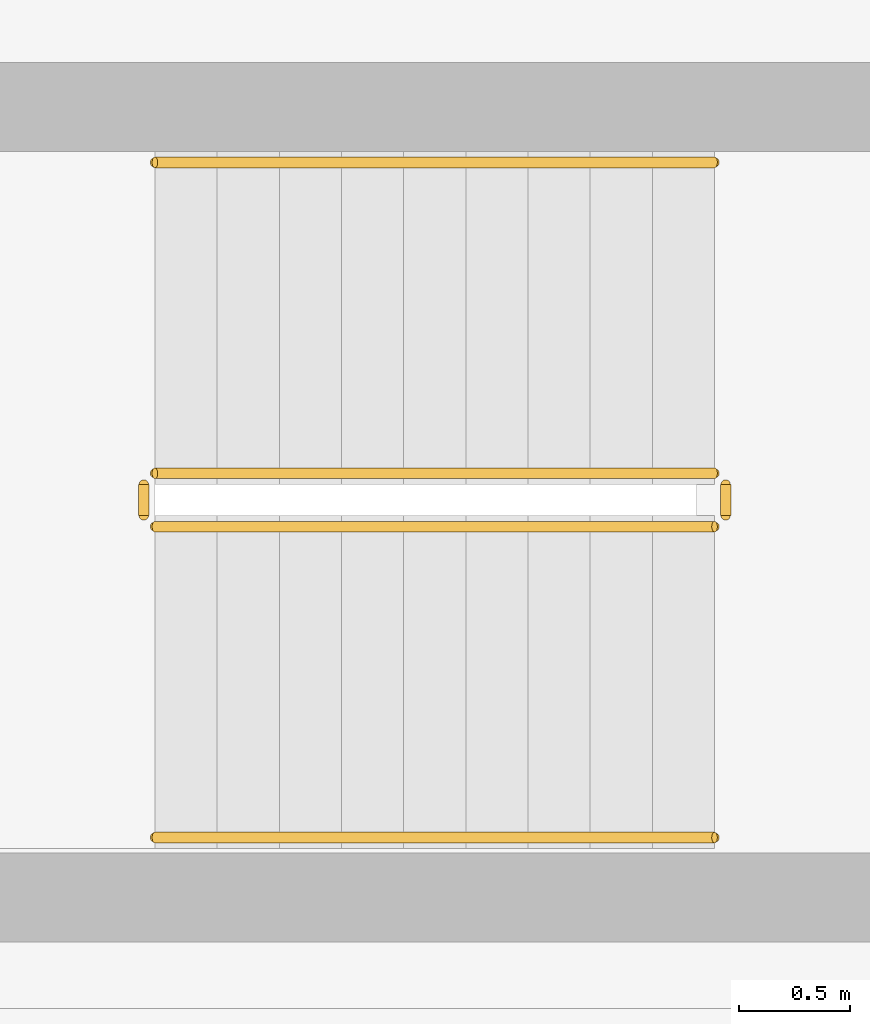
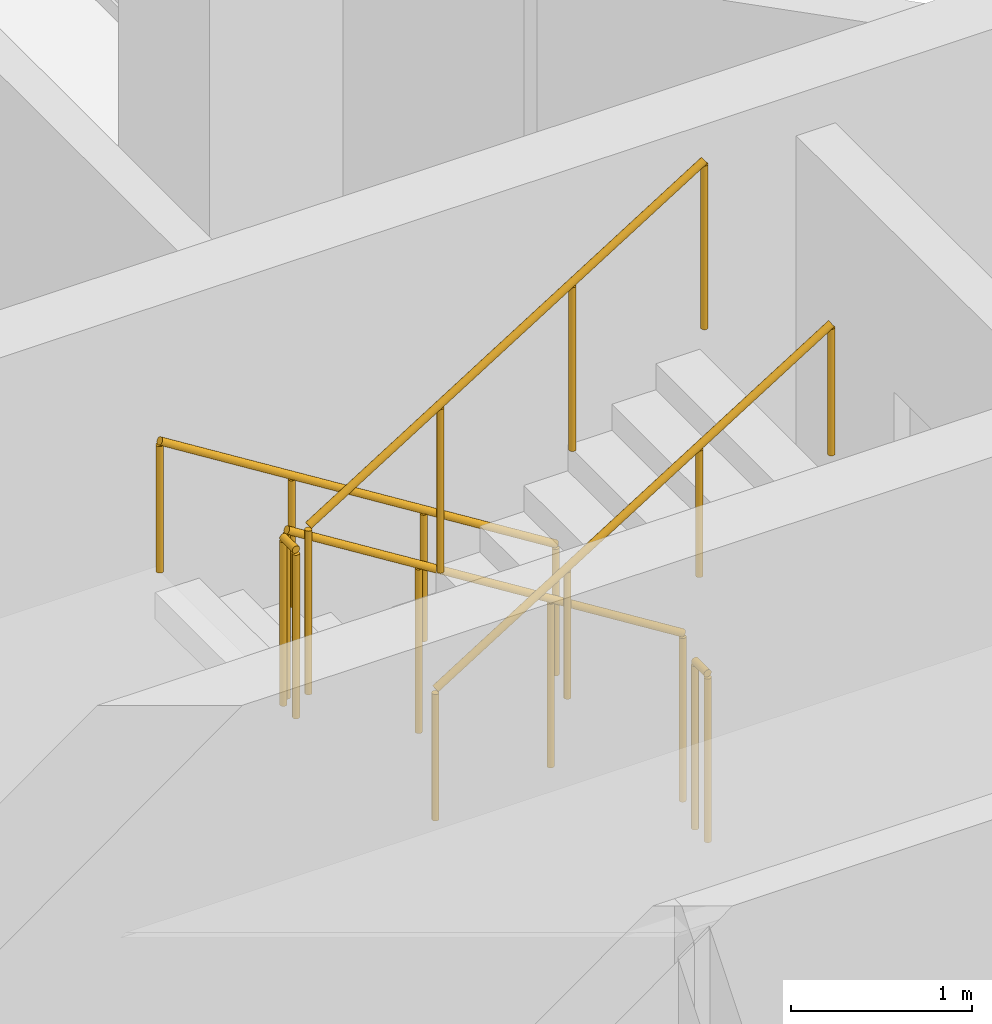
# One storey, part 22 of 26: 6 railings.
"""IFC4 building model written with IfcOpenShell, lengths in metres."""

from ifc_helpers import new_model, si_unit, derived_unit, direction, frame, origin, origin_2d, place, context, subcontext, project, spatial, circle, extrude, material, type_object, element, save


model = new_model("IFC4")

# Units and contexts
model_context = context("Model", 3, precision=1e-05, world=origin(), true_north=direction((0.0, 1.0)))
body_context = subcontext(model_context, "Body", "Model", "MODEL_VIEW")
ifc_project = project(units=[si_unit("LENGTHUNIT", "METRE"), si_unit("AREAUNIT", "SQUARE_METRE"), si_unit("VOLUMEUNIT", "CUBIC_METRE"), si_unit("PLANEANGLEUNIT", "RADIAN"), si_unit("MASSUNIT", "GRAM", prefix="KILO"), derived_unit("THERMALTRANSMITTANCEUNIT", [(si_unit("POWERUNIT", "WATT"), 1), (si_unit("LENGTHUNIT", "METRE"), -2), (si_unit("THERMODYNAMICTEMPERATUREUNIT", "KELVIN"), -1)])], contexts=[model_context])

# Site, building, storey
site_placement = place(None, origin())
site = spatial("IfcSite", under=ifc_project, at=site_placement, CompositionType="ELEMENT")
building_placement = place(site_placement, origin())
building = spatial("IfcBuilding", under=site, at=building_placement, Name="Kivonza Crest Hotel", CompositionType="ELEMENT")
storey_placement = place(building_placement, frame((0.0, 0.0, 105.5)))
storey = spatial("IfcBuildingStorey", under=building, at=storey_placement, Name="L28", CompositionType="ELEMENT", Elevation=105.5)

# Railings
ifc_material_1 = material(Name="Brushed stainless steel handrail", Category="steel")
railing_type_1 = type_object("IfcRailingType", Name="RL-HAND-900", PredefinedType="HANDRAIL", material=ifc_material_1)
railing_1_placement = place(storey_placement, frame((12.239990234375, 16.949951171875, 0.175048828125)))
element("IfcRailing", 1, at=railing_1_placement, inside=storey, type_object=railing_type_1, Name="L28 ST-T1-S stair handrail 1", PredefinedType="HANDRAIL", context=body_context, shape_type="SweptSolid", body=[
    extrude(circle(Radius=0.02392578125, at=origin_2d()), frame((0.0, 0.0, 0.8759765625), z_axis=(-0.848007534815, 0.0, 0.529984170421), x_axis=(0.0, -1.0, 0.0)), (0.0, 0.0, 1.0), 2.9716796875),
    extrude(circle(Radius=0.02099609375, at=origin_2d()), origin(), (0.0, 0.0, 1.0), 0.851806640625),
    extrude(circle(Radius=0.02099609375, at=origin_2d()), frame((-0.840087890625, 0.0, 0.52490234375)), (0.0, 0.0, 1.0), 0.851806640625),
    extrude(circle(Radius=0.02099609375, at=origin_2d()), frame((-1.679931640625, 0.0, 1.050048828125)), (0.0, 0.0, 1.0), 0.851806640625),
    extrude(circle(Radius=0.02099609375, at=origin_2d()), frame((-2.52001953125, 0.0, 1.574951171875)), (0.0, 0.0, 1.0), 0.851806640625),
])
railing_2_placement = place(storey_placement, frame((9.719970703125, 13.909912109375, 1.925048828125)))
element("IfcRailing", 2, at=railing_2_placement, inside=storey, type_object=railing_type_1, Name="L28 ST-T1-S stair handrail 2", PredefinedType="HANDRAIL", context=body_context, shape_type="SweptSolid", body=[
    extrude(circle(Radius=0.02392578125, at=origin_2d()), frame((0.0, 0.0, 0.8759765625), z_axis=(0.848007534815, 0.0, 0.529984170421), x_axis=(0.0, 1.0, 0.0)), (0.0, 0.0, 1.0), 2.9716796875),
    extrude(circle(Radius=0.02099609375, at=origin_2d()), origin(), (0.0, 0.0, 1.0), 0.851806640625),
    extrude(circle(Radius=0.02099609375, at=origin_2d()), frame((0.840087890625, 0.0, 0.52490234375)), (0.0, 0.0, 1.0), 0.851806640625),
    extrude(circle(Radius=0.02099609375, at=origin_2d()), frame((1.679931640625, 0.0, 1.050048828125)), (0.0, 0.0, 1.0), 0.851806640625),
    extrude(circle(Radius=0.02099609375, at=origin_2d()), frame((2.52001953125, 0.0, 1.574951171875)), (0.0, 0.0, 1.0), 0.851806640625),
])
ifc_material_2 = material(Name="Painted steel balustrade", Category="steel")
railing_type_2 = type_object("IfcRailingType", Name="RL-STAIR-1150", PredefinedType="BALUSTRADE", material=ifc_material_2)
railing_3_placement = place(storey_placement, frame((12.239990234375, 15.550048828125, 0.175048828125)))
element("IfcRailing", 3, at=railing_3_placement, inside=storey, type_object=railing_type_2, Name="L28 ST-T1-S stair guard 1", PredefinedType="BALUSTRADE", context=body_context, shape_type="SweptSolid", body=[
    extrude(circle(Radius=0.02392578125, at=origin_2d()), frame((0.0, 0.0, 1.1259765625), z_axis=(-0.848007534815, 0.0, 0.529984170421), x_axis=(0.0, -1.0, 0.0)), (0.0, 0.0, 1.0), 2.9716796875),
    extrude(circle(Radius=0.02099609375, at=origin_2d()), origin(), (0.0, 0.0, 1.0), 1.101806640625),
    extrude(circle(Radius=0.02099609375, at=origin_2d()), frame((-0.840087890625, 0.0, 0.52490234375)), (0.0, 0.0, 1.0), 1.101806640625),
    extrude(circle(Radius=0.02099609375, at=origin_2d()), frame((-1.679931640625, 0.0, 1.050048828125)), (0.0, 0.0, 1.0), 1.101806640625),
    extrude(circle(Radius=0.02099609375, at=origin_2d()), frame((-2.52001953125, 0.0, 1.574951171875)), (0.0, 0.0, 1.0), 1.101806640625),
])
railing_4_placement = place(storey_placement, frame((9.669921875, 15.5, 1.75)))
element("IfcRailing", 4, at=railing_4_placement, inside=storey, type_object=railing_type_2, Name="L28 ST-T1-S stair guard 2", PredefinedType="BALUSTRADE", context=body_context, shape_type="SweptSolid", body=[
    extrude(circle(Radius=0.02392578125, at=origin_2d()), frame((0.0, 0.0, 1.1259765625), z_axis=(0.0, -1.0, 0.0), x_axis=(1.0, 0.0, 0.0)), (0.0, 0.0, 1.0), 0.139892578125),
    extrude(circle(Radius=0.02099609375, at=origin_2d()), origin(), (0.0, 0.0, 1.0), 1.101806640625),
    extrude(circle(Radius=0.02099609375, at=origin_2d()), frame((0.0, -0.139892578125, 0.0)), (0.0, 0.0, 1.0), 1.101806640625),
])
railing_5_placement = place(storey_placement, frame((9.719970703125, 15.31005859375, 1.925048828125)))
element("IfcRailing", 5, at=railing_5_placement, inside=storey, type_object=railing_type_2, Name="L28 ST-T1-S stair guard 3", PredefinedType="BALUSTRADE", context=body_context, shape_type="SweptSolid", body=[
    extrude(circle(Radius=0.02392578125, at=origin_2d()), frame((0.0, 0.0, 1.1259765625), z_axis=(0.848007534815, 0.0, 0.529984170421), x_axis=(0.0, 1.0, 0.0)), (0.0, 0.0, 1.0), 2.9716796875),
    extrude(circle(Radius=0.02099609375, at=origin_2d()), origin(), (0.0, 0.0, 1.0), 1.101806640625),
    extrude(circle(Radius=0.02099609375, at=origin_2d()), frame((0.840087890625, 0.0, 0.52490234375)), (0.0, 0.0, 1.0), 1.101806640625),
    extrude(circle(Radius=0.02099609375, at=origin_2d()), frame((1.679931640625, 0.0, 1.050048828125)), (0.0, 0.0, 1.0), 1.101806640625),
    extrude(circle(Radius=0.02099609375, at=origin_2d()), frame((2.52001953125, 0.0, 1.574951171875)), (0.0, 0.0, 1.0), 1.101806640625),
])
railing_6_placement = place(storey_placement, frame((12.2900390625, 15.5, 0.0)))
element("IfcRailing", 6, at=railing_6_placement, inside=storey, type_object=railing_type_2, Name="L28 ST-T1-S stair guard 4", PredefinedType="BALUSTRADE", context=body_context, shape_type="SweptSolid", body=[
    extrude(circle(Radius=0.02392578125, at=origin_2d()), frame((0.0, 0.0, 1.1259765625), z_axis=(0.0, -1.0, 0.0), x_axis=(1.0, 0.0, 0.0)), (0.0, 0.0, 1.0), 0.139892578125),
    extrude(circle(Radius=0.02099609375, at=origin_2d()), origin(), (0.0, 0.0, 1.0), 1.101806640625),
    extrude(circle(Radius=0.02099609375, at=origin_2d()), frame((0.0, -0.139892578125, 0.0)), (0.0, 0.0, 1.0), 1.101806640625),
])

save(model, "model.ifc")
